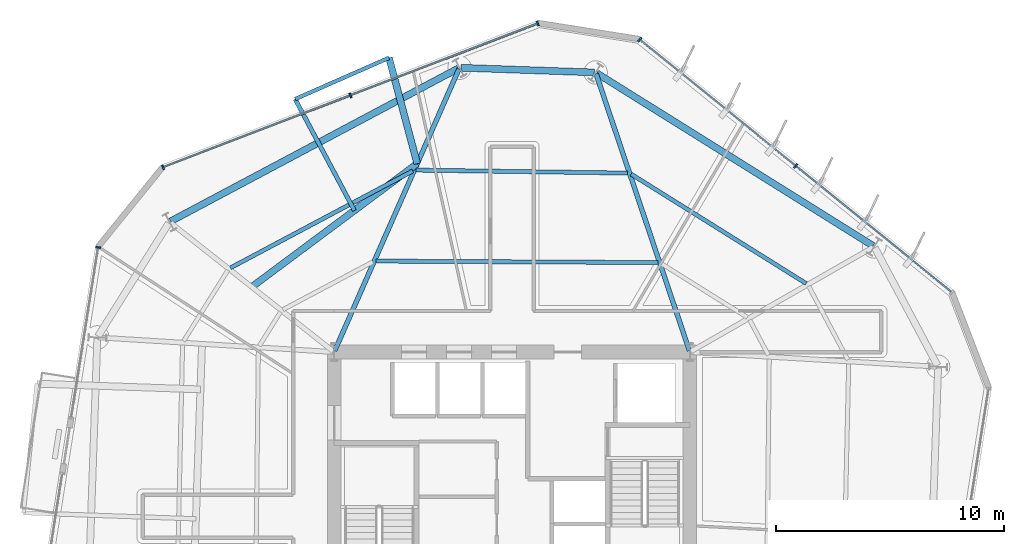
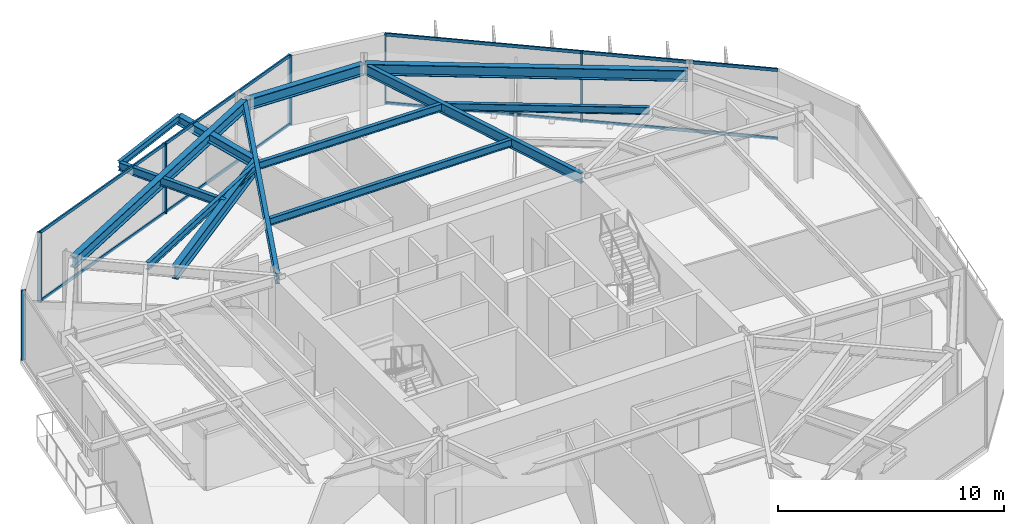
# One storey, part 5 of 11: 14 members, 13 beams, 3 elements without a shape of their own.
"""IFC4 building model written with IfcOpenShell, lengths in metres."""

from ifc_helpers import new_model, si_unit, direction, frame, origin, origin_2d, place, context, subcontext, project, spatial, rectangle, i_section, extrude, material, layer, layer_set, material_profile, profile_set, type_object, element, aggregate, save


model = new_model("IFC4")

# Units and contexts
model_context = context("Model", 3, precision=1e-05, world=origin(), true_north=direction((0.0, 1.0)))
body_context = subcontext(model_context, "Body", "Model", "MODEL_VIEW")
ifc_project = project(units=[si_unit("LENGTHUNIT", "METRE"), si_unit("AREAUNIT", "SQUARE_METRE"), si_unit("VOLUMEUNIT", "CUBIC_METRE"), si_unit("PLANEANGLEUNIT", "RADIAN"), si_unit("MASSUNIT", "GRAM", prefix="KILO")], contexts=[model_context])

# Site, building, storey
site_placement = place(None, origin())
site = spatial("IfcSite", under=ifc_project, at=site_placement, CompositionType="ELEMENT")
building_placement = place(site_placement, origin())
building = spatial("IfcBuilding", under=site, at=building_placement, Name="Kranzbogen Civic Tower", CompositionType="ELEMENT")
storey_placement = place(building_placement, frame((0.0, 0.0, 106.39990234375)))
storey = spatial("IfcBuildingStorey", under=building, at=storey_placement, Name="L25", CompositionType="ELEMENT", Elevation=106.39990234375)

# Beam
ifc_material_1 = material(Name="Steel S355", Category="steel")
ifc_material_profile_1 = material_profile(ifc_material_1, i_section(OverallWidth=0.18994140625, OverallDepth=0.449951171875, WebThickness=0.009521484375, FlangeThickness=0.0146484375, at=origin_2d()), Name="IPE 450")
ifc_profile_set_1 = profile_set([ifc_material_profile_1], Name="Steel S355")
beam_type_1 = type_object("IfcBeamType", Name="Braced Terrace Edge Beam IPE 450", PredefinedType="BEAM", material=ifc_profile_set_1)
beam_1_placement = place(storey_placement, frame((18.087890625, 38.410888671875, 3.525146484375), z_axis=(-0.4694498065, 0.882959160538, 0.0), x_axis=(-0.882959160538, -0.4694498065, 0.0)))
element("IfcBeam", 1, at=beam_1_placement, inside=storey, type_object=beam_type_1, Name="L26 back-spanned terrace beam L26-TB1-2", PredefinedType="BEAM", context=body_context, shape_type="SweptSolid", body=[
    extrude(i_section(OverallWidth=0.18994140625, OverallDepth=0.449951171875, WebThickness=0.009521484375, FlangeThickness=0.0146484375, at=origin_2d()), origin(), (0.0, 0.0, 1.0), 5.533935546875),
])

# Curtain wall, members
ifc_material_2 = material(Name="Pale Anodised Aluminium", Category="aluminium")
ifc_layer = layer(ifc_material_2, 0.219970703125, Name="Pale Anodised Aluminium")
ifc_layer_set = layer_set([ifc_layer], Name="Pale Anodised Aluminium")
curtain_wall_type = type_object("IfcCurtainWallType", Name="Zone 2 Stick Curtain Wall System CW-03", PredefinedType="USERDEFINED", material=ifc_layer_set)
curtain_wall_1_placement = place(storey_placement, origin())
curtain_wall_1 = element("IfcCurtainWall", 2, at=curtain_wall_1_placement, inside=storey, type_object=curtain_wall_type, Name="L25 curtain wall CW-L25-F1", ObjectType="STICK CURTAIN WALL", PredefinedType="USERDEFINED")
ifc_material_profile_2 = material_profile(ifc_material_2, rectangle(XDim=0.074951171875, YDim=0.219970703125, at=origin_2d()), Name="ALU-M 75x220")
ifc_profile_set_2 = profile_set([ifc_material_profile_2], Name="Pale Anodised Aluminium")
member_type_1 = type_object("IfcMemberType", Name="Curtain Wall Mullion ALU-M 75x220", PredefinedType="MULLION", material=ifc_profile_set_2)
member_1_placement = place(storey_placement, frame((37.443115234375, 40.366455078125, 0.0), z_axis=(0.0, 0.0, 1.0), x_axis=(-0.777127546446, 0.629343131014, 0.0)))
member_1 = element("IfcMember", 3, at=member_1_placement, type_object=member_type_1, Name="CW-03 mullion 2", PredefinedType="MULLION", context=body_context, shape_type="SweptSolid", body=[
    extrude(rectangle(XDim=0.074951171875, YDim=0.219970703125, at=origin_2d()), origin(), (0.0, 0.0, 1.0), 3.760009765625),
])
member_2_placement = place(storey_placement, frame((30.601318359375, 45.9072265625, 0.0), z_axis=(0.0, 0.0, 1.0), x_axis=(-0.777127546446, 0.629343131014, 0.0)))
member_2 = element("IfcMember", 4, at=member_2_placement, type_object=member_type_1, Name="CW-03 mullion 3", PredefinedType="MULLION", context=body_context, shape_type="SweptSolid", body=[
    extrude(rectangle(XDim=0.074951171875, YDim=0.219970703125, at=origin_2d()), origin(), (0.0, 0.0, 1.0), 3.760009765625),
])

curtain_wall_2_placement = place(storey_placement, origin())
curtain_wall_2 = element("IfcCurtainWall", 5, at=curtain_wall_2_placement, inside=storey, type_object=curtain_wall_type, Name="L25 curtain wall CW-L25-F2", ObjectType="STICK CURTAIN WALL", PredefinedType="USERDEFINED")
member_3_placement = place(storey_placement, frame((26.133056640625, 46.6142578125, 0.0), z_axis=(0.0, 0.0, 1.0), x_axis=(-0.933570075247, -0.358394914309, 0.0)))
member_3 = element("IfcMember", 6, at=member_3_placement, type_object=member_type_1, Name="CW-03 mullion 1", PredefinedType="MULLION", context=body_context, shape_type="SweptSolid", body=[
    extrude(rectangle(XDim=0.074951171875, YDim=0.219970703125, at=origin_2d()), origin(), (0.0, 0.0, 1.0), 3.760009765625),
])
member_4_placement = place(storey_placement, frame((17.9140625, 43.458984375, 0.0), z_axis=(0.0, 0.0, 1.0), x_axis=(-0.933570075247, -0.358394914309, 0.0)))
member_4 = element("IfcMember", 7, at=member_4_placement, type_object=member_type_1, Name="CW-03 mullion 2", PredefinedType="MULLION", context=body_context, shape_type="SweptSolid", body=[
    extrude(rectangle(XDim=0.074951171875, YDim=0.219970703125, at=origin_2d()), origin(), (0.0, 0.0, 1.0), 3.760009765625),
])
member_5_placement = place(storey_placement, frame((9.695068359375, 40.3037109375, 0.0), z_axis=(0.0, 0.0, 1.0), x_axis=(-0.933570075247, -0.358394914309, 0.0)))
member_5 = element("IfcMember", 8, at=member_5_placement, type_object=member_type_1, Name="CW-03 mullion 3", PredefinedType="MULLION", context=body_context, shape_type="SweptSolid", body=[
    extrude(rectangle(XDim=0.074951171875, YDim=0.219970703125, at=origin_2d()), origin(), (0.0, 0.0, 1.0), 3.760009765625),
])

# Curtain wall, member
curtain_wall_3_placement = place(storey_placement, origin())
curtain_wall_3 = element("IfcCurtainWall", 9, at=curtain_wall_3_placement, inside=storey, type_object=curtain_wall_type, Name="L25 curtain wall CW-L25-F3-S1", ObjectType="STICK CURTAIN WALL", PredefinedType="USERDEFINED")
member_6_placement = place(storey_placement, frame((6.848388671875, 36.789306640625, 0.0), z_axis=(0.0, 0.0, 1.0), x_axis=(-0.156386286729, -0.987695970085, 0.0)))
member_6 = element("IfcMember", 10, at=member_6_placement, type_object=member_type_1, Name="CW-03 mullion 1", PredefinedType="MULLION", context=body_context, shape_type="SweptSolid", body=[
    extrude(rectangle(XDim=0.074951171875, YDim=0.219970703125, at=origin_2d()), origin(), (0.0, 0.0, 1.0), 3.760009765625),
])
aggregate(curtain_wall_3, [member_6])

# Member
ifc_material_profile_3 = material_profile(ifc_material_2, rectangle(XDim=0.074951171875, YDim=0.1650390625, at=origin_2d()), Name="ALU-T 75x165")
ifc_profile_set_3 = profile_set([ifc_material_profile_3], Name="Pale Anodised Aluminium")
member_type_2 = type_object("IfcMemberType", Name="Curtain Wall Transom ALU-T 75x165", PredefinedType="USERDEFINED", material=ifc_profile_set_3)
member_7_placement = place(storey_placement, frame((44.261474609375, 34.8447265625, 0.030029296875), z_axis=(-0.777128468422, 0.629341992535, 0.0), x_axis=(-0.629341992535, -0.777128468422, 0.0)))
member_7 = element("IfcMember", 11, at=member_7_placement, type_object=member_type_2, Name="CW-03 transom 1.1", ObjectType="TRANSOM", PredefinedType="USERDEFINED", context=body_context, shape_type="SweptSolid", body=[
    extrude(rectangle(XDim=0.074951171875, YDim=0.1650390625, at=origin_2d()), origin(), (0.0, 0.0, 1.0), 8.743896484375),
])

member_8_placement = place(storey_placement, frame((44.261474609375, 34.8447265625, 3.72998046875), z_axis=(-0.777128468422, 0.629341992535, 0.0), x_axis=(-0.629341992535, -0.777128468422, 0.0)))
member_8 = element("IfcMember", 12, at=member_8_placement, type_object=member_type_2, Name="CW-03 transom 1.2", ObjectType="TRANSOM", PredefinedType="USERDEFINED", context=body_context, shape_type="SweptSolid", body=[
    extrude(rectangle(XDim=0.074951171875, YDim=0.1650390625, at=origin_2d()), origin(), (0.0, 0.0, 1.0), 8.743896484375),
])

member_9_placement = place(storey_placement, frame((37.419677734375, 40.385498046875, 0.030029296875), z_axis=(-0.777142124127, 0.629325129728, 0.0), x_axis=(-0.629325129728, -0.777142124127, 0.0)))
member_9 = element("IfcMember", 13, at=member_9_placement, type_object=member_type_2, Name="CW-03 transom 2.1", ObjectType="TRANSOM", PredefinedType="USERDEFINED", context=body_context, shape_type="SweptSolid", body=[
    extrude(rectangle(XDim=0.074951171875, YDim=0.1650390625, at=origin_2d()), origin(), (0.0, 0.0, 1.0), 8.743896484375),
])

member_10_placement = place(storey_placement, frame((37.419677734375, 40.385498046875, 3.72998046875), z_axis=(-0.777142124127, 0.629325129728, 0.0), x_axis=(-0.629325129728, -0.777142124127, 0.0)))
member_10 = element("IfcMember", 14, at=member_10_placement, type_object=member_type_2, Name="CW-03 transom 2.2", ObjectType="TRANSOM", PredefinedType="USERDEFINED", context=body_context, shape_type="SweptSolid", body=[
    extrude(rectangle(XDim=0.074951171875, YDim=0.1650390625, at=origin_2d()), origin(), (0.0, 0.0, 1.0), 8.743896484375),
])

aggregate(curtain_wall_1, [member_1, member_2, member_7, member_8, member_9, member_10])

member_11_placement = place(storey_placement, frame((26.10498046875, 46.603515625, 0.030029296875), z_axis=(-0.933569943848, -0.358395256587, 0.0), x_axis=(0.358395256587, -0.933569943848, 0.0)))
member_11 = element("IfcMember", 15, at=member_11_placement, type_object=member_type_2, Name="CW-03 transom 1.1", ObjectType="TRANSOM", PredefinedType="USERDEFINED", context=body_context, shape_type="SweptSolid", body=[
    extrude(rectangle(XDim=0.074951171875, YDim=0.1650390625, at=origin_2d()), origin(), (0.0, 0.0, 1.0), 8.743896484375),
])

member_12_placement = place(storey_placement, frame((26.10498046875, 46.603515625, 3.72998046875), z_axis=(-0.933569943848, -0.358395256587, 0.0), x_axis=(0.358395256587, -0.933569943848, 0.0)))
member_12 = element("IfcMember", 16, at=member_12_placement, type_object=member_type_2, Name="CW-03 transom 1.2", ObjectType="TRANSOM", PredefinedType="USERDEFINED", context=body_context, shape_type="SweptSolid", body=[
    extrude(rectangle(XDim=0.074951171875, YDim=0.1650390625, at=origin_2d()), origin(), (0.0, 0.0, 1.0), 8.743896484375),
])

member_13_placement = place(storey_placement, frame((17.885986328125, 43.4482421875, 0.030029296875), z_axis=(-0.933569943848, -0.358395256587, 0.0), x_axis=(0.358395256587, -0.933569943848, 0.0)))
member_13 = element("IfcMember", 17, at=member_13_placement, type_object=member_type_2, Name="CW-03 transom 2.1", ObjectType="TRANSOM", PredefinedType="USERDEFINED", context=body_context, shape_type="SweptSolid", body=[
    extrude(rectangle(XDim=0.074951171875, YDim=0.1650390625, at=origin_2d()), origin(), (0.0, 0.0, 1.0), 8.743896484375),
])

member_14_placement = place(storey_placement, frame((17.885986328125, 43.4482421875, 3.72998046875), z_axis=(-0.933569943848, -0.358395256587, 0.0), x_axis=(0.358395256587, -0.933569943848, 0.0)))
member_14 = element("IfcMember", 18, at=member_14_placement, type_object=member_type_2, Name="CW-03 transom 2.2", ObjectType="TRANSOM", PredefinedType="USERDEFINED", context=body_context, shape_type="SweptSolid", body=[
    extrude(rectangle(XDim=0.074951171875, YDim=0.1650390625, at=origin_2d()), origin(), (0.0, 0.0, 1.0), 8.743896484375),
])

aggregate(curtain_wall_2, [member_3, member_4, member_5, member_11, member_12, member_13, member_14])

# Beams
ifc_material_profile_4 = material_profile(ifc_material_1, i_section(OverallWidth=0.300048828125, OverallDepth=0.5, WebThickness=0.014404296875, FlangeThickness=0.028076171875, at=origin_2d()), Name="HEB 500")
ifc_profile_set_4 = profile_set([ifc_material_profile_4], Name="Steel S355")
beam_type_2 = type_object("IfcBeamType", Name="Perimeter Tube Spandrel Beam HEB 500", PredefinedType="SPANDREL", material=ifc_profile_set_4)
beam_2_placement = place(storey_placement, frame((20.843017578125, 40.462890625, 3.5), z_axis=(-0.257210463578, 0.966355409477, 0.0), x_axis=(-0.966355409477, -0.257210463578, 0.0)))
element("IfcBeam", 19, at=beam_2_placement, inside=storey, type_object=beam_type_2, Name="L26 back-spanned terrace beam L26-TB1-1", PredefinedType="SPANDREL", context=body_context, shape_type="SweptSolid", body=[
    extrude(i_section(OverallWidth=0.300048828125, OverallDepth=0.5, WebThickness=0.014404296875, FlangeThickness=0.028076171875, at=origin_2d()), origin(), (0.0, 0.0, 1.0), 4.8056640625),
])
ifc_material_profile_5 = material_profile(ifc_material_1, i_section(OverallWidth=0.300048828125, OverallDepth=0.60009765625, WebThickness=0.015380859375, FlangeThickness=0.030029296875, at=origin_2d()), Name="HEB 600")
ifc_profile_set_5 = profile_set([ifc_material_profile_5], Name="Steel S355")
beam_type_3 = type_object("IfcBeamType", Name="Perimeter Tube Spandrel Beam HEB 600", PredefinedType="SPANDREL", material=ifc_profile_set_5)
beam_3_placement = place(storey_placement, frame((40.8349609375, 36.861083984375, 3.460205078125), z_axis=(-0.848051101349, 0.52991445489, 0.0), x_axis=(-0.52991445489, -0.848051101349, 0.0)))
element("IfcBeam", 20, at=beam_3_placement, inside=storey, type_object=beam_type_3, Name="L25 perimeter spandrel beam 08", PredefinedType="SPANDREL", context=body_context, shape_type="SweptSolid", body=[
    extrude(i_section(OverallWidth=0.300048828125, OverallDepth=0.60009765625, WebThickness=0.015380859375, FlangeThickness=0.030029296875, at=origin_2d()), origin(), (0.0, 0.0, 1.0), 14.286865234375),
])
beam_4_placement = place(storey_placement, frame((28.60791015625, 44.466064453125, 3.460205078125), z_axis=(-0.999393148233, 0.03483296234, 0.0), x_axis=(-0.03483296234, -0.999393148233, 0.0)))
element("IfcBeam", 21, at=beam_4_placement, inside=storey, type_object=beam_type_3, Name="L25 perimeter spandrel beam 09", PredefinedType="SPANDREL", context=body_context, shape_type="SweptSolid", body=[
    extrude(i_section(OverallWidth=0.300048828125, OverallDepth=0.60009765625, WebThickness=0.015380859375, FlangeThickness=0.030029296875, at=origin_2d()), origin(), (0.0, 0.0, 1.0), 5.8525390625),
])
beam_5_placement = place(storey_placement, frame((22.64599609375, 44.64404296875, 3.460205078125), z_axis=(-0.882948194046, -0.469470432116, 0.0), x_axis=(0.469470432116, -0.882948194046, 0.0)))
element("IfcBeam", 22, at=beam_5_placement, inside=storey, type_object=beam_type_3, Name="L25 perimeter spandrel beam 10", PredefinedType="SPANDREL", context=body_context, shape_type="SweptSolid", body=[
    extrude(i_section(OverallWidth=0.300048828125, OverallDepth=0.60009765625, WebThickness=0.015380859375, FlangeThickness=0.030029296875, at=origin_2d()), origin(), (0.0, 0.0, 1.0), 14.28857421875),
])
ifc_material_profile_6 = material_profile(ifc_material_1, i_section(OverallWidth=0.300048828125, OverallDepth=0.699951171875, WebThickness=0.01708984375, FlangeThickness=0.031982421875, at=origin_2d()), Name="HEB 700")
ifc_profile_set_6 = profile_set([ifc_material_profile_6], Name="Steel S355")
beam_type_4 = type_object("IfcBeamType", Name="Perimeter Tube Spandrel Beam HEB 700", PredefinedType="SPANDREL", material=ifc_profile_set_6)
beam_6_placement = place(storey_placement, frame((20.843017578125, 40.462890625, 3.400146484375), z_axis=(-0.801896259305, -0.597463295369, 0.0), x_axis=(0.597463295369, -0.801896259305, 0.0)))
element("IfcBeam", 23, at=beam_6_placement, inside=storey, type_object=beam_type_4, Name="L26 balcony back-span header girder L26-TB1", PredefinedType="SPANDREL", context=body_context, shape_type="SweptSolid", body=[
    extrude(i_section(OverallWidth=0.300048828125, OverallDepth=0.699951171875, WebThickness=0.01708984375, FlangeThickness=0.031982421875, at=origin_2d()), origin(), (0.0, 0.0, 1.0), 9.0498046875),
])
ifc_material_profile_7 = material_profile(ifc_material_1, i_section(OverallWidth=0.2099609375, OverallDepth=0.550048828125, WebThickness=0.010986328125, FlangeThickness=0.01708984375, at=origin_2d()), Name="IPE 550")
ifc_profile_set_7 = profile_set([ifc_material_profile_7], Name="Steel S355")
beam_type_5 = type_object("IfcBeamType", Name="Radial Tower Floor Girder IPE 550", PredefinedType="BEAM", material=ifc_profile_set_7)
beam_7_placement = place(storey_placement, frame((28.68701171875, 44.406982421875, 3.485107421875), z_axis=(0.319316617377, -0.947648087566, 0.0), x_axis=(0.947648087566, 0.319316617377, 0.0)))
element("IfcBeam", 24, at=beam_7_placement, inside=storey, type_object=beam_type_5, Name="L25 radial floor girder 09", PredefinedType="BEAM", context=body_context, shape_type="SweptSolid", body=[
    extrude(i_section(OverallWidth=0.2099609375, OverallDepth=0.550048828125, WebThickness=0.010986328125, FlangeThickness=0.01708984375, at=origin_2d()), origin(), (0.0, 0.0, 1.0), 12.821044921875),
])
beam_8_placement = place(storey_placement, frame((22.675048828125, 44.616943359375, 3.485107421875), z_axis=(-0.403459127705, -0.914997667905, 0.0), x_axis=(0.914997667905, -0.403459127705, 0.0)))
element("IfcBeam", 25, at=beam_8_placement, inside=storey, type_object=beam_type_5, Name="L25 radial floor girder 10", PredefinedType="BEAM", context=body_context, shape_type="SweptSolid", body=[
    extrude(i_section(OverallWidth=0.2099609375, OverallDepth=0.550048828125, WebThickness=0.010986328125, FlangeThickness=0.01708984375, at=origin_2d()), origin(), (0.0, 0.0, 1.0), 13.510498046875),
])
ifc_material_profile_8 = material_profile(ifc_material_1, i_section(OverallWidth=0.169921875, OverallDepth=0.360107421875, WebThickness=0.008056640625, FlangeThickness=0.0126953125, at=origin_2d()), Name="IPE 360")
ifc_profile_set_8 = profile_set([ifc_material_profile_8], Name="Steel S355")
beam_type_6 = type_object("IfcBeamType", Name="Secondary Composite Floor Joist IPE 360", PredefinedType="JOIST", material=ifc_profile_set_8)
beam_9_placement = place(storey_placement, frame((19.60693359375, 45.10693359375, 3.570068359375), z_axis=(-0.915449462933, -0.40243295195, 0.0), x_axis=(0.40243295195, -0.915449462933, 0.0)))
element("IfcBeam", 26, at=beam_9_placement, inside=storey, type_object=beam_type_6, Name="L26 terrace outer edge trimmer L26-TB1", PredefinedType="JOIST", context=body_context, shape_type="SweptSolid", body=[
    extrude(i_section(OverallWidth=0.169921875, OverallDepth=0.360107421875, WebThickness=0.008056640625, FlangeThickness=0.0126953125, at=origin_2d()), origin(), (0.0, 0.0, 1.0), 4.4970703125),
])
ifc_material_profile_9 = material_profile(ifc_material_1, i_section(OverallWidth=0.179931640625, OverallDepth=0.39990234375, WebThickness=0.008544921875, FlangeThickness=0.013427734375, at=origin_2d()), Name="IPE 400")
ifc_profile_set_9 = profile_set([ifc_material_profile_9], Name="Steel S355")
beam_type_7 = type_object("IfcBeamType", Name="Secondary Composite Floor Joist IPE 400", PredefinedType="JOIST", material=ifc_profile_set_9)
beam_10_placement = place(storey_placement, frame((37.906982421875, 35.205078125, 3.56005859375), z_axis=(-0.848025549308, 0.529955345026, 0.0), x_axis=(-0.529955345026, -0.848025549308, 0.0)))
element("IfcBeam", 27, at=beam_10_placement, inside=storey, type_object=beam_type_7, Name="L25 secondary floor joist 1.08", PredefinedType="JOIST", context=body_context, shape_type="SweptSolid", body=[
    extrude(i_section(OverallWidth=0.179931640625, OverallDepth=0.39990234375, WebThickness=0.008544921875, FlangeThickness=0.013427734375, at=origin_2d()), origin(), (0.0, 0.0, 1.0), 9.06103515625),
])
beam_11_placement = place(storey_placement, frame((30.075927734375, 40.050048828125, 3.56005859375), z_axis=(-0.999900525148, 0.014104602386, 0.0), x_axis=(-0.014104602386, -0.999900525148, 0.0)))
element("IfcBeam", 28, at=beam_11_placement, inside=storey, type_object=beam_type_7, Name="L25 secondary floor joist 1.09", PredefinedType="JOIST", context=body_context, shape_type="SweptSolid", body=[
    extrude(i_section(OverallWidth=0.179931640625, OverallDepth=0.39990234375, WebThickness=0.008544921875, FlangeThickness=0.013427734375, at=origin_2d()), origin(), (0.0, 0.0, 1.0), 9.27783203125),
])
beam_12_placement = place(storey_placement, frame((31.39794921875, 36.125, 3.56005859375), z_axis=(-0.999985774147, 0.005333995002, 0.0), x_axis=(-0.005333995002, -0.999985774147, 0.0)))
element("IfcBeam", 29, at=beam_12_placement, inside=storey, type_object=beam_type_7, Name="L25 secondary floor joist 2.09", PredefinedType="JOIST", context=body_context, shape_type="SweptSolid", body=[
    extrude(i_section(OverallWidth=0.179931640625, OverallDepth=0.39990234375, WebThickness=0.008544921875, FlangeThickness=0.013427734375, at=origin_2d()), origin(), (0.0, 0.0, 1.0), 12.358154296875),
])
beam_13_placement = place(storey_placement, frame((20.64892578125, 40.14501953125, 3.56005859375), z_axis=(-0.882960787661, -0.469446746131, 0.0), x_axis=(0.469446746131, -0.882960787661, 0.0)))
element("IfcBeam", 30, at=beam_13_placement, inside=storey, type_object=beam_type_7, Name="L25 secondary floor joist 1.10", PredefinedType="JOIST", context=body_context, shape_type="SweptSolid", body=[
    extrude(i_section(OverallWidth=0.179931640625, OverallDepth=0.39990234375, WebThickness=0.008544921875, FlangeThickness=0.013427734375, at=origin_2d()), origin(), (0.0, 0.0, 1.0), 9.0615234375),
])

save(model, "model.ifc")
